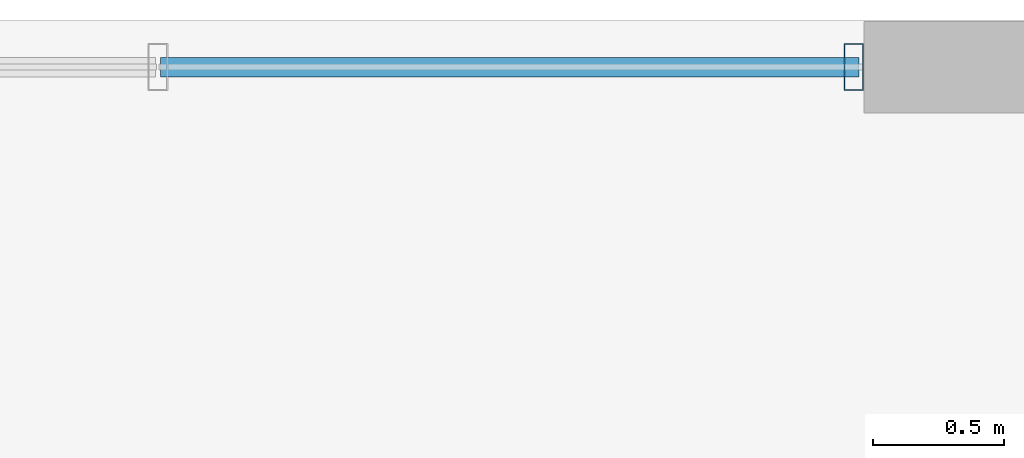
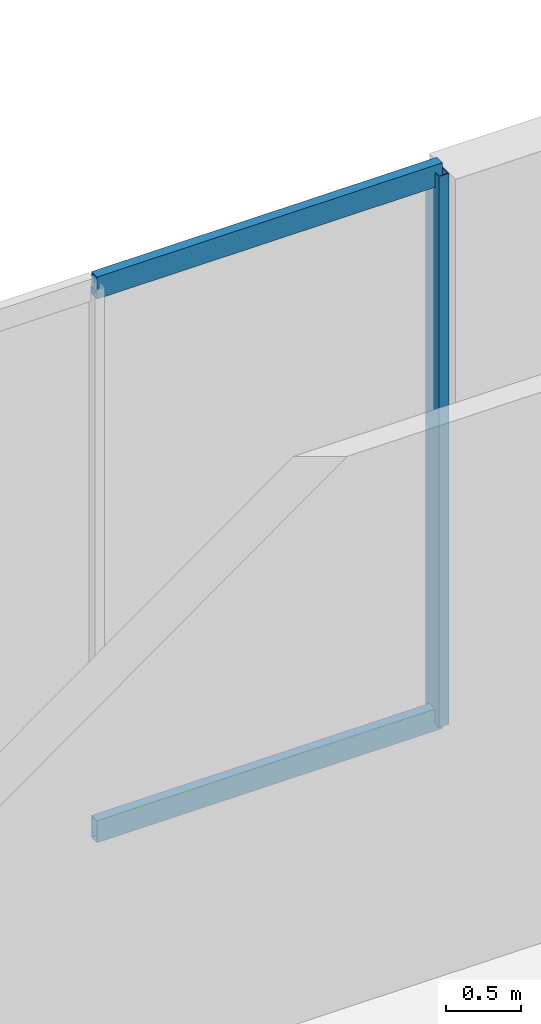
# One storey, part 8 of 15: 3 members, 1 element without a shape of its own.
"""IFC4 building model written with IfcOpenShell, lengths in metres."""

from ifc_helpers import new_model, si_unit, direction, frame, origin, origin_2d, place, context, subcontext, project, spatial, hollow_rectangle, extrude, material, material_profile, profile_set, type_object, element, aggregate, save


model = new_model("IFC4")

# Units and contexts
model_context = context("Model", 3, precision=1e-05, world=origin(), true_north=direction((0.0, 1.0)))
body_context = subcontext(model_context, "Body", "Model", "MODEL_VIEW")
ifc_project = project(units=[si_unit("LENGTHUNIT", "METRE"), si_unit("AREAUNIT", "SQUARE_METRE"), si_unit("VOLUMEUNIT", "CUBIC_METRE"), si_unit("PLANEANGLEUNIT", "RADIAN"), si_unit("MASSUNIT", "GRAM", prefix="KILO")], contexts=[model_context])

# Site, building, storey
site_placement = place(None, origin())
site = spatial("IfcSite", under=ifc_project, at=site_placement, CompositionType="ELEMENT")
building_placement = place(site_placement, origin())
building = spatial("IfcBuilding", under=site, at=building_placement, Name="Ventersveld Concourse Tower", CompositionType="ELEMENT")
storey_placement = place(building_placement, frame((0.0, 0.0, 5.39990234375)))
storey = spatial("IfcBuildingStorey", under=building, at=storey_placement, Name="L01", CompositionType="ELEMENT", Elevation=5.39990234375)

# Curtain wall, members
ifc_material = material(Name="Anodised aluminium EN AW-6063-T6", Category="aluminium")
curtain_wall_type = type_object("IfcCurtainWallType", Name="CW-POD-2", PredefinedType="NOTDEFINED", material=ifc_material)
curtain_wall_placement = place(storey_placement, origin())
curtain_wall = element("IfcCurtainWall", 1, at=curtain_wall_placement, inside=storey, type_object=curtain_wall_type, Name="L01 L01 Podium Gallery Curtain Wall 4", PredefinedType="NOTDEFINED")
ifc_material_profile_1 = material_profile(ifc_material, hollow_rectangle(XDim=0.074951171875, YDim=0.179931640625, WallThickness=0.00390625, at=origin_2d()), Name="ALU 180x75x4")
ifc_profile_set_1 = profile_set([ifc_material_profile_1], Name="Anodised aluminium EN AW-6063-T6")
member_type_1 = type_object("IfcMemberType", Name="CWM-180x75", PredefinedType="MULLION", material=ifc_profile_set_1)
member_1_placement = place(storey_placement, frame((52.760009765625, 49.52001953125, 0.0), z_axis=(0.0, 0.0, 1.0), x_axis=(1.0, 0.0, 0.0)))
member_1 = element("IfcMember", 2, at=member_1_placement, type_object=member_type_1, Name="CW-L01-N4 Mullion 04", PredefinedType="MULLION", context=body_context, shape_type="SweptSolid", body=[
    extrude(hollow_rectangle(XDim=0.074951171875, YDim=0.179931640625, WallThickness=0.00390625, at=origin_2d()), origin(), (0.0, 0.0, 1.0), 4.5),
])
ifc_material_profile_2 = material_profile(ifc_material, hollow_rectangle(XDim=0.074951171875, YDim=0.179931640625, WallThickness=0.00390625, at=origin_2d()), Name="ALU 180x75x4")
ifc_profile_set_2 = profile_set([ifc_material_profile_2], Name="Anodised aluminium EN AW-6063-T6")
member_type_2 = type_object("IfcMemberType", Name="CWT-180x75", PredefinedType="USERDEFINED", material=ifc_profile_set_2)
member_2_placement = place(storey_placement, frame((50.110107421875, 49.52001953125, 0.030029296875), z_axis=(1.0, 0.0, 0.0), x_axis=(0.0, 1.0, 0.0)))
member_2 = element("IfcMember", 3, at=member_2_placement, type_object=member_type_2, Name="CW-L01-N4 Transom 1-03", ObjectType="TRANSOM", PredefinedType="USERDEFINED", context=body_context, shape_type="SweptSolid", body=[
    extrude(hollow_rectangle(XDim=0.074951171875, YDim=0.179931640625, WallThickness=0.00390625, at=origin_2d()), origin(), (0.0, 0.0, 1.0), 2.669921875),
])
member_3_placement = place(storey_placement, frame((50.110107421875, 49.52001953125, 4.47021484375), z_axis=(1.0, 0.0, 0.0), x_axis=(0.0, 1.0, 0.0)))
member_3 = element("IfcMember", 4, at=member_3_placement, type_object=member_type_2, Name="CW-L01-N4 Transom 2-03", ObjectType="TRANSOM", PredefinedType="USERDEFINED", context=body_context, shape_type="SweptSolid", body=[
    extrude(hollow_rectangle(XDim=0.074951171875, YDim=0.179931640625, WallThickness=0.00390625, at=origin_2d()), origin(), (0.0, 0.0, 1.0), 2.669921875),
])
aggregate(curtain_wall, [member_1, member_2, member_3])

save(model, "model.ifc")
